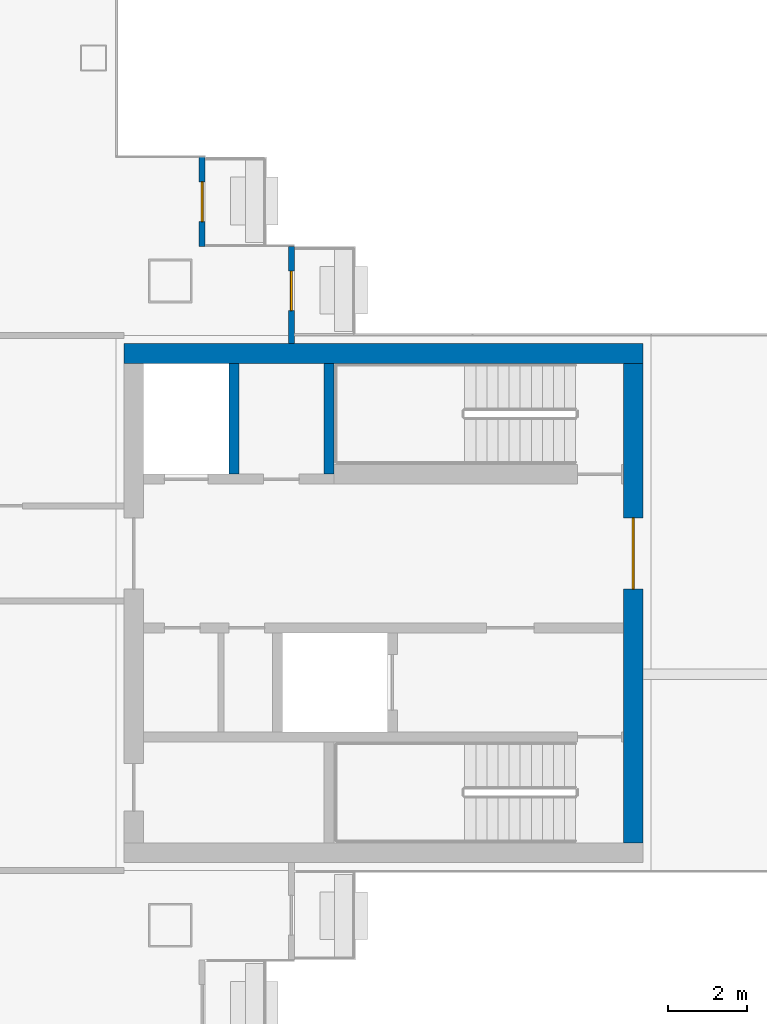
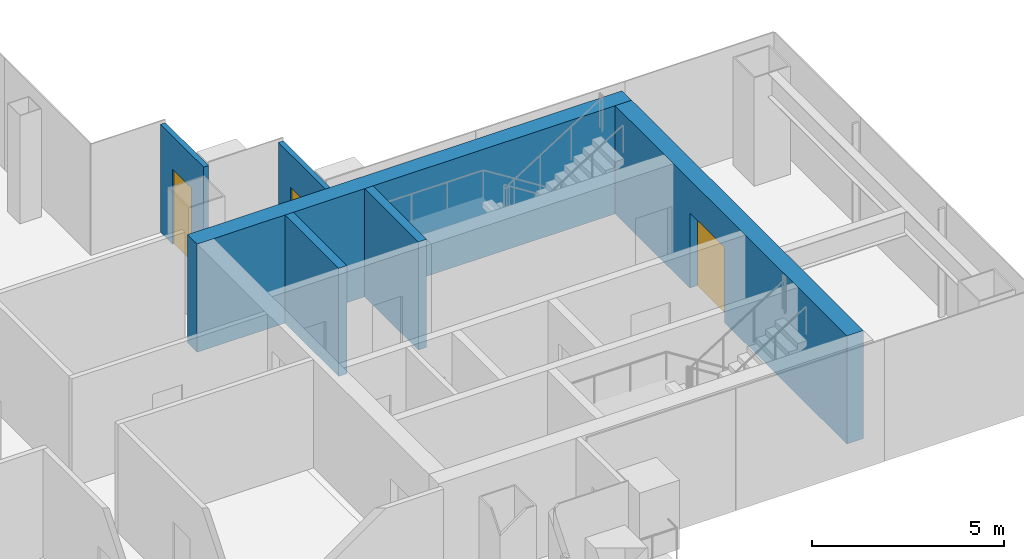
# One storey, part 13 of 17: 6 walls, 3 doors, 3 openings.
"""IFC4 building model written with IfcOpenShell, lengths in metres."""

from ifc_helpers import new_model, si_unit, direction, frame, frame_2d, origin, place, context, subcontext, project, spatial, rectangle, extrude, material, layer, layer_set, type_object, element, fill, save


model = new_model("IFC4")

# Units and contexts
model_context = context("Model", 3, precision=1e-05, world=origin(), true_north=direction((0.0, 1.0)))
body_context = subcontext(model_context, "Body", "Model", "MODEL_VIEW")
ifc_project = project(units=[si_unit("LENGTHUNIT", "METRE"), si_unit("AREAUNIT", "SQUARE_METRE"), si_unit("VOLUMEUNIT", "CUBIC_METRE"), si_unit("PLANEANGLEUNIT", "RADIAN"), si_unit("MASSUNIT", "GRAM", prefix="KILO")], contexts=[model_context])

# Site, building, storey
site_placement = place(None, origin())
site = spatial("IfcSite", under=ifc_project, at=site_placement, CompositionType="ELEMENT")
building_placement = place(site_placement, origin())
building = spatial("IfcBuilding", under=site, at=building_placement, Name="Shamsa Quay Exchange Towers", CompositionType="ELEMENT")
storey_placement = place(building_placement, frame((0.0, 0.0, 174.0)))
storey = spatial("IfcBuildingStorey", under=building, at=storey_placement, Name="L41", CompositionType="ELEMENT", Elevation=174.0)

# Wall, opening, door
ifc_material_1 = material(Name="Aluminium EN AW-6063 T6, black anodised, with black enamelled glass infill", Category="aluminium")
ifc_layer_1 = layer(ifc_material_1, 0.14990234375)
ifc_layer_set_1 = layer_set([ifc_layer_1], Name="BALCONY DOOR BAY WALL 150")
wall_type_1 = type_object("IfcWallType", Name="BALCONY DOOR BAY WALL 150", PredefinedType="SOLIDWALL", material=ifc_layer_set_1)
wall_1_placement = place(storey_placement, frame((42.675048828125, 11.25, 0.0), z_axis=(0.0, 0.0, 1.0), x_axis=(0.0, -1.0, 0.0)))
wall_1 = element("IfcWall", 1, at=wall_1_placement, inside=storey, type_object=wall_type_1, Name="Door bay T2-PKES L41", PredefinedType="SOLIDWALL", context=body_context, shape_type="SweptSolid", body=[
    extrude(rectangle(XDim=2.25, YDim=0.14990234375, at=frame_2d((1.125, 0.0))), origin(), (0.0, 0.0, 1.0), 3.449951171875),
])
opening_1_placement = place(wall_1_placement, frame((0.625, 0.0, 0.0)))
opening_1 = element("IfcOpeningElement", 2, at=opening_1_placement, cuts=wall_1, Name="Opening XD267", PredefinedType="OPENING", context=body_context, shape_type="SweptSolid", body=[
    extrude(rectangle(XDim=1.0, YDim=2.39990234375, at=frame_2d((0.5, 1.199951171875))), frame((0.0, 0.0849609375, 0.0), z_axis=(0.0, -1.0, 0.0), x_axis=(1.0, 0.0, 0.0)), (0.0, 0.0, 1.0), 0.169921875),
])
ifc_material_2 = material(Name="Aluminium EN AW-6063 T6, black anodised, with laminated glass leaf", Category="aluminium")
door_type_1 = type_object("IfcDoorType", Name="BALCONY DOOR 1000x2400", OperationType="SINGLE_SWING_LEFT", PredefinedType="DOOR", material=ifc_material_2)
door_1_placement = place(opening_1_placement, origin())
door_1 = element("IfcDoor", 3, at=door_1_placement, inside=storey, type_object=door_type_1, Name="Balcony door T2-PKES L41", OperationType="SINGLE_SWING_RIGHT", OverallHeight=2.39990234375, OverallWidth=1.0, PredefinedType="DOOR", context=body_context, shape_type="SweptSolid", body=[
    extrude(rectangle(XDim=1.0, YDim=2.39990234375, at=frame_2d((0.5, 1.199951171875))), frame((0.0, 0.02490234375, 0.0), z_axis=(0.0, -1.0, 0.0), x_axis=(1.0, 0.0, 0.0)), (0.0, 0.0, 1.0), 0.050048828125),
])
fill(opening_1, door_1)

wall_2_placement = place(storey_placement, frame((44.925048828125, 9.0, 0.0), z_axis=(0.0, 0.0, 1.0), x_axis=(0.0, -1.0, 0.0)))
wall_2 = element("IfcWall", 4, at=wall_2_placement, inside=storey, type_object=wall_type_1, Name="Door bay T2-PKES L41", PredefinedType="SOLIDWALL", context=body_context, shape_type="SweptSolid", body=[
    extrude(rectangle(XDim=2.45703125, YDim=0.14990234375, at=frame_2d((1.228515625, 0.0))), origin(), (0.0, 0.0, 1.0), 3.449951171875),
])
opening_2_placement = place(wall_2_placement, frame((0.625, 0.0, 0.0)))
opening_2 = element("IfcOpeningElement", 5, at=opening_2_placement, cuts=wall_2, Name="Opening XD268", PredefinedType="OPENING", context=body_context, shape_type="SweptSolid", body=[
    extrude(rectangle(XDim=1.0, YDim=2.39990234375, at=frame_2d((0.5, 1.199951171875))), frame((0.0, 0.0849609375, 0.0), z_axis=(0.0, -1.0, 0.0), x_axis=(1.0, 0.0, 0.0)), (0.0, 0.0, 1.0), 0.169921875),
])
door_2_placement = place(opening_2_placement, origin())
door_2 = element("IfcDoor", 6, at=door_2_placement, inside=storey, type_object=door_type_1, Name="Balcony door T2-PKES L41", OperationType="SINGLE_SWING_LEFT", OverallHeight=2.39990234375, OverallWidth=1.0, PredefinedType="DOOR", context=body_context, shape_type="SweptSolid", body=[
    extrude(rectangle(XDim=1.0, YDim=2.39990234375, at=frame_2d((0.5, 1.199951171875))), frame((0.0, 0.02490234375, 0.0), z_axis=(0.0, -1.0, 0.0), x_axis=(1.0, 0.0, 0.0)), (0.0, 0.0, 1.0), 0.050048828125),
])
fill(opening_2, door_2)

# Wall
ifc_material_3 = material(Name="Concrete C60/75", Category="concrete")
ifc_layer_2 = layer(ifc_material_3, 0.5)
ifc_layer_set_2 = layer_set([ifc_layer_2], Name="CORE WALL 500 C60/75")
wall_type_2 = type_object("IfcWallType", Name="CORE WALL 500 C60/75", PredefinedType="SHEAR", material=ifc_layer_set_2)
wall_3_placement = place(storey_placement, frame((53.800048828125, 6.300048828125, 0.0), z_axis=(0.0, 0.0, 1.0), x_axis=(-1.0, 0.0, 0.0)))
element("IfcWall", 7, at=wall_3_placement, inside=storey, type_object=wall_type_2, Name="Core wall T2B-R19-PN", PredefinedType="SHEAR", context=body_context, shape_type="SweptSolid", body=[
    extrude(rectangle(XDim=13.10009765625, YDim=0.5, at=frame_2d((6.550048828125, 0.0))), origin(), (0.0, 0.0, 1.0), 3.449951171875),
])

# Wall, opening, door
wall_4_placement = place(storey_placement, frame((53.550048828125, -6.050048828125, 0.0), z_axis=(0.0, 0.0, 1.0), x_axis=(0.0, 1.0, 0.0)))
wall_4 = element("IfcWall", 8, at=wall_4_placement, inside=storey, type_object=wall_type_2, Name="Core wall T2B-R19-PF", PredefinedType="SHEAR", context=body_context, shape_type="SweptSolid", body=[
    extrude(rectangle(XDim=12.10009765625, YDim=0.5, at=frame_2d((6.050048828125, 0.0))), origin(), (0.0, 0.0, 1.0), 3.449951171875),
])
opening_3_placement = place(wall_4_placement, frame((6.39990234375, 0.0, 0.0)))
opening_3 = element("IfcOpeningElement", 9, at=opening_3_placement, cuts=wall_4, Name="Opening T2B-R19-LBD01", PredefinedType="OPENING", context=body_context, shape_type="SweptSolid", body=[
    extrude(rectangle(XDim=1.800048828125, YDim=2.39990234375, at=frame_2d((0.89990234375, 1.199951171875))), frame((0.0, 0.260009765625, 0.0), z_axis=(0.0, -1.0, 0.0), x_axis=(1.0, 0.0, 0.0)), (0.0, 0.0, 1.0), 0.52001953125),
])
ifc_material_4 = material(Name="Steel, fire rated", Category="steel")
door_type_2 = type_object("IfcDoorType", Name="LIFT LOBBY DOOR PAIR 1800", OperationType="DOUBLE_DOOR_SINGLE_SWING", PredefinedType="DOOR", material=ifc_material_4)
door_3_placement = place(opening_3_placement, origin())
door_3 = element("IfcDoor", 10, at=door_3_placement, inside=storey, type_object=door_type_2, Name="T2B-R19-LBD01", OperationType="DOUBLE_DOOR_SINGLE_SWING", OverallHeight=2.39990234375, OverallWidth=1.800048828125, PredefinedType="DOOR", context=body_context, shape_type="SweptSolid", body=[
    extrude(rectangle(XDim=1.800048828125, YDim=2.39990234375, at=frame_2d((0.89990234375, 1.199951171875))), frame((0.0, 0.02490234375, 0.0), z_axis=(0.0, -1.0, 0.0), x_axis=(1.0, 0.0, 0.0)), (0.0, 0.0, 1.0), 0.050048828125),
])
fill(opening_3, door_3)

# Walls
ifc_material_5 = material(Name="Concrete C50/60", Category="concrete")
ifc_layer_3 = layer(ifc_material_5, 0.25)
ifc_layer_set_3 = layer_set([ifc_layer_3], Name="SHAFT WALL 250 C50/60")
wall_type_3 = type_object("IfcWallType", Name="SHAFT WALL 250 C50/60", PredefinedType="SHEAR", material=ifc_layer_set_3)
for number, where, z_axis, x_axis, name in (
    (11, (45.875, 3.25, 0.0), (0.0, 0.0, 1.0), (0.0, 1.0, 0.0), "Shaft wall T2B-R19-STF2"),
    (12, (43.47509765625, 3.25, 0.0), (0.0, 0.0, 1.0), (0.0, 1.0, 0.0), "Shaft wall T2B-R19-D0"),
):
    element("IfcWall", number, at=place(storey_placement, frame(where, z_axis=z_axis, x_axis=x_axis)), inside=storey, type_object=wall_type_3, Name=name, PredefinedType="SHEAR", context=body_context, shape_type="SweptSolid", body=[
        extrude(rectangle(XDim=2.800048828125, YDim=0.25, at=frame_2d((1.39990234375, 0.0))), origin(), (0.0, 0.0, 1.0), 3.449951171875),
    ])

save(model, "model.ifc")
